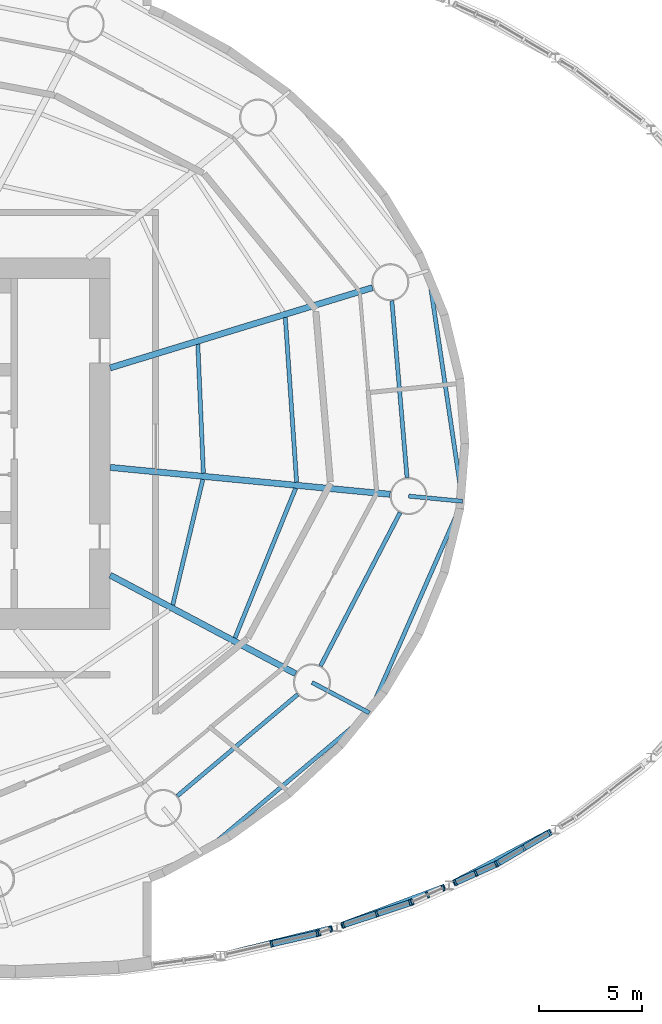
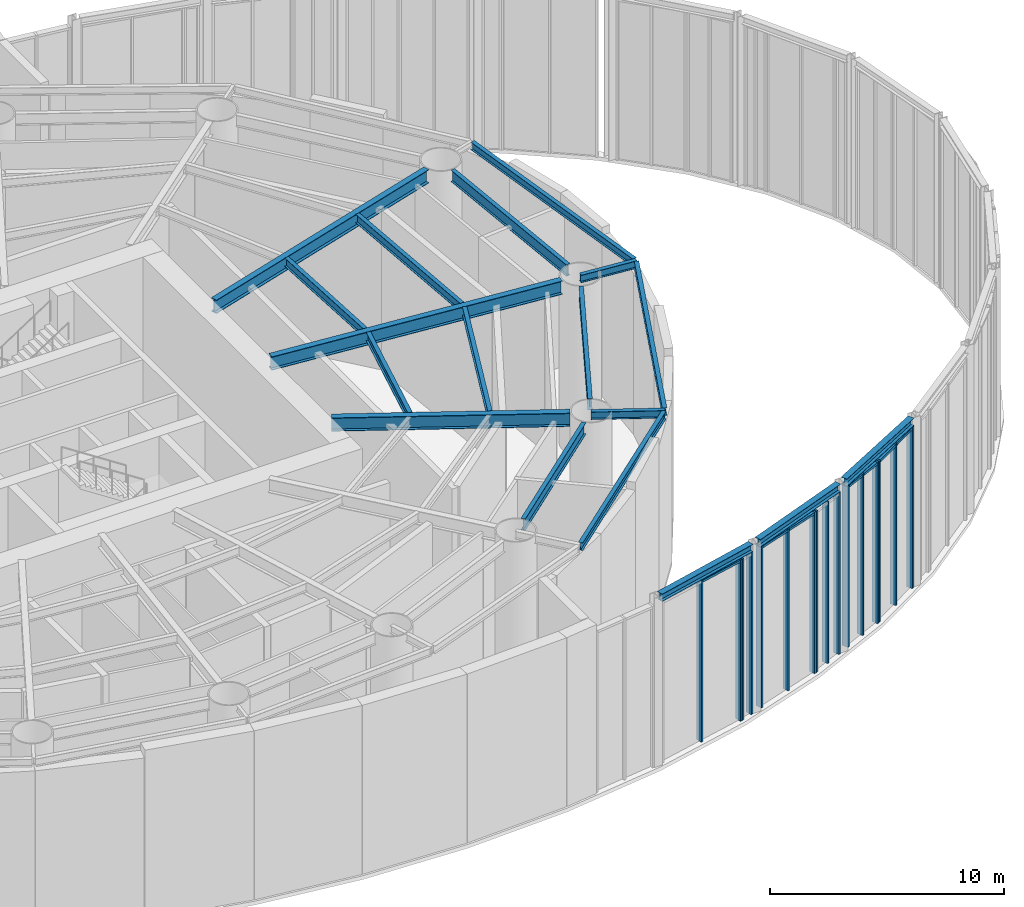
# One storey, part 5 of 19: 23 members, 18 beams, 6 elements without a shape of their own.
"""IFC4 building model written with IfcOpenShell, lengths in metres."""

from ifc_helpers import new_model, si_unit, direction, frame, origin, origin_2d, place, context, subcontext, project, spatial, rectangle, i_section, extrude, material, material_profile, profile_set, type_object, element, aggregate, save


model = new_model("IFC4")

# Units and contexts
model_context = context("Model", 3, precision=1e-05, world=origin(), true_north=direction((0.0, 1.0)))
body_context = subcontext(model_context, "Body", "Model", "MODEL_VIEW")
ifc_project = project(units=[si_unit("LENGTHUNIT", "METRE"), si_unit("AREAUNIT", "SQUARE_METRE"), si_unit("VOLUMEUNIT", "CUBIC_METRE"), si_unit("PLANEANGLEUNIT", "RADIAN"), si_unit("MASSUNIT", "GRAM", prefix="KILO")], contexts=[model_context])

# Site, building, storey
site_placement = place(None, origin())
site = spatial("IfcSite", under=ifc_project, at=site_placement, CompositionType="ELEMENT")
building_placement = place(site_placement, origin())
building = spatial("IfcBuilding", under=site, at=building_placement, Name="Vermilion Reach Broadcast Tower", CompositionType="ELEMENT")
storey_placement = place(building_placement, frame((0.0, 0.0, 8.0)))
storey = spatial("IfcBuildingStorey", under=building, at=storey_placement, Name="L01", CompositionType="ELEMENT", Elevation=8.0)

# Curtain wall, members
ifc_material_1 = material(Name="Low-e laminated clear glass in aluminium frame", Category="aluminium")
curtain_wall_type = type_object("IfcCurtainWallType", Name="Atrium outer wall curtain wall", PredefinedType="NOTDEFINED", material=ifc_material_1)
placement = place(storey_placement, origin())
curtain_wall_1 = element("IfcCurtainWall", 1, at=placement, inside=storey, type_object=curtain_wall_type, Name="Atrium wall L01 02", PredefinedType="NOTDEFINED")
ifc_material_2 = material(Name="Anodised aluminium", Category="aluminium")
ifc_material_profile_1 = material_profile(ifc_material_2, rectangle(XDim=0.300048828125, YDim=0.10009765625, at=origin_2d()), Name="Atrium outer wall mullion 100 x 300")
ifc_profile_set_1 = profile_set([ifc_material_profile_1], Name="Anodised aluminium")
member_type_1 = type_object("IfcMemberType", Name="Atrium outer wall mullion 100 x 300", PredefinedType="MULLION", material=ifc_profile_set_1)
member_1_placement = place(storey_placement, frame((13.818359375, -24.251708984375, 0.0), z_axis=(0.0, 0.0, 1.0), x_axis=(-0.222891523278, 0.974843253478, 0.0)))
member_1 = element("IfcMember", 2, at=member_1_placement, type_object=member_type_1, Name="Atrium wall mullion L01 02.2", PredefinedType="MULLION", context=body_context, shape_type="SweptSolid", body=[
    extrude(rectangle(XDim=0.300048828125, YDim=0.10009765625, at=origin_2d()), origin(), (0.0, 0.0, 1.0), 8.409912109375),
])
member_2_placement = place(storey_placement, frame((16.042236328125, -23.7431640625, 0.0), z_axis=(0.0, 0.0, 1.0), x_axis=(-0.222891523278, 0.974843253478, 0.0)))
member_2 = element("IfcMember", 3, at=member_2_placement, type_object=member_type_1, Name="Atrium wall mullion L01 02.3", PredefinedType="MULLION", context=body_context, shape_type="SweptSolid", body=[
    extrude(rectangle(XDim=0.300048828125, YDim=0.10009765625, at=origin_2d()), origin(), (0.0, 0.0, 1.0), 8.409912109375),
])

curtain_wall_2 = element("IfcCurtainWall", 4, at=placement, inside=storey, type_object=curtain_wall_type, Name="Atrium wall L01 03-1", PredefinedType="NOTDEFINED")
member_3_placement = place(storey_placement, frame((16.138427734375, -23.71630859375, 0.0), z_axis=(0.0, 0.0, 1.0), x_axis=(-0.315228098746, 0.949015935462, 0.0)))
member_3 = element("IfcMember", 5, at=member_3_placement, type_object=member_type_1, Name="Atrium wall mullion L01 03-1.1", PredefinedType="MULLION", context=body_context, shape_type="SweptSolid", body=[
    extrude(rectangle(XDim=0.300048828125, YDim=0.10009765625, at=origin_2d()), origin(), (0.0, 0.0, 1.0), 8.409912109375),
])
member_4_placement = place(storey_placement, frame((16.67724609375, -23.537353515625, 0.0), z_axis=(0.0, 0.0, 1.0), x_axis=(-0.315228098746, 0.949015935462, 0.0)))
member_4 = element("IfcMember", 6, at=member_4_placement, type_object=member_type_1, Name="Atrium wall mullion L01 03-1.2", PredefinedType="MULLION", context=body_context, shape_type="SweptSolid", body=[
    extrude(rectangle(XDim=0.300048828125, YDim=0.10009765625, at=origin_2d()), origin(), (0.0, 0.0, 1.0), 8.409912109375),
])
aggregate(curtain_wall_2, [member_3, member_4])

curtain_wall_3 = element("IfcCurtainWall", 7, at=placement, inside=storey, type_object=curtain_wall_type, Name="Atrium wall L01 03-2", PredefinedType="NOTDEFINED")
member_5_placement = place(storey_placement, frame((17.2919921875, -23.3330078125, 0.0), z_axis=(0.0, 0.0, 1.0), x_axis=(-0.315228098746, 0.949015935462, 0.0)))
member_5 = element("IfcMember", 8, at=member_5_placement, type_object=member_type_1, Name="Atrium wall mullion L01 03-2.1", PredefinedType="MULLION", context=body_context, shape_type="SweptSolid", body=[
    extrude(rectangle(XDim=0.300048828125, YDim=0.10009765625, at=origin_2d()), origin(), (0.0, 0.0, 1.0), 8.409912109375),
])
member_6_placement = place(storey_placement, frame((18.91796875, -22.79296875, 0.0), z_axis=(0.0, 0.0, 1.0), x_axis=(-0.315228098746, 0.949015935462, 0.0)))
member_6 = element("IfcMember", 9, at=member_6_placement, type_object=member_type_1, Name="Atrium wall mullion L01 03-2.2", PredefinedType="MULLION", context=body_context, shape_type="SweptSolid", body=[
    extrude(rectangle(XDim=0.300048828125, YDim=0.10009765625, at=origin_2d()), origin(), (0.0, 0.0, 1.0), 8.409912109375),
])
member_7_placement = place(storey_placement, frame((20.5439453125, -22.2529296875, 0.0), z_axis=(0.0, 0.0, 1.0), x_axis=(-0.315228098746, 0.949015935462, 0.0)))
member_7 = element("IfcMember", 10, at=member_7_placement, type_object=member_type_1, Name="Atrium wall mullion L01 03-2.3", PredefinedType="MULLION", context=body_context, shape_type="SweptSolid", body=[
    extrude(rectangle(XDim=0.300048828125, YDim=0.10009765625, at=origin_2d()), origin(), (0.0, 0.0, 1.0), 8.409912109375),
])

curtain_wall_4 = element("IfcCurtainWall", 11, at=placement, inside=storey, type_object=curtain_wall_type, Name="Atrium wall L01 04-1", PredefinedType="NOTDEFINED")
member_8_placement = place(storey_placement, frame((20.636962890625, -22.216552734375, 0.0), z_axis=(0.0, 0.0, 1.0), x_axis=(-0.410407876277, 0.911902064418, 0.0)))
member_8 = element("IfcMember", 12, at=member_8_placement, type_object=member_type_1, Name="Atrium wall mullion L01 04-1.1", PredefinedType="MULLION", context=body_context, shape_type="SweptSolid", body=[
    extrude(rectangle(XDim=0.300048828125, YDim=0.10009765625, at=origin_2d()), origin(), (0.0, 0.0, 1.0), 8.409912109375),
])
member_9_placement = place(storey_placement, frame((21.386474609375, -21.87939453125, 0.0), z_axis=(0.0, 0.0, 1.0), x_axis=(-0.410407876277, 0.911902064418, 0.0)))
member_9 = element("IfcMember", 13, at=member_9_placement, type_object=member_type_1, Name="Atrium wall mullion L01 04-1.2", PredefinedType="MULLION", context=body_context, shape_type="SweptSolid", body=[
    extrude(rectangle(XDim=0.300048828125, YDim=0.10009765625, at=origin_2d()), origin(), (0.0, 0.0, 1.0), 8.409912109375),
])
member_10_placement = place(storey_placement, frame((22.1357421875, -21.5419921875, 0.0), z_axis=(0.0, 0.0, 1.0), x_axis=(-0.410407876277, 0.911902064418, 0.0)))
member_10 = element("IfcMember", 14, at=member_10_placement, type_object=member_type_1, Name="Atrium wall mullion L01 04-1.3", PredefinedType="MULLION", context=body_context, shape_type="SweptSolid", body=[
    extrude(rectangle(XDim=0.300048828125, YDim=0.10009765625, at=origin_2d()), origin(), (0.0, 0.0, 1.0), 8.409912109375),
])
aggregate(curtain_wall_4, [member_8, member_9, member_10])

curtain_wall_5 = element("IfcCurtainWall", 15, at=placement, inside=storey, type_object=curtain_wall_type, Name="Atrium wall L01 04-2", PredefinedType="NOTDEFINED")
member_11_placement = place(storey_placement, frame((22.726806640625, -21.276123046875, 0.0), z_axis=(0.0, 0.0, 1.0), x_axis=(-0.410407876277, 0.911902064418, 0.0)))
member_11 = element("IfcMember", 16, at=member_11_placement, type_object=member_type_1, Name="Atrium wall mullion L01 04-2.1", PredefinedType="MULLION", context=body_context, shape_type="SweptSolid", body=[
    extrude(rectangle(XDim=0.300048828125, YDim=0.10009765625, at=origin_2d()), origin(), (0.0, 0.0, 1.0), 8.409912109375),
])
member_12_placement = place(storey_placement, frame((23.720947265625, -20.82861328125, 0.0), z_axis=(0.0, 0.0, 1.0), x_axis=(-0.410407876277, 0.911902064418, 0.0)))
member_12 = element("IfcMember", 17, at=member_12_placement, type_object=member_type_1, Name="Atrium wall mullion L01 04-2.2", PredefinedType="MULLION", context=body_context, shape_type="SweptSolid", body=[
    extrude(rectangle(XDim=0.300048828125, YDim=0.10009765625, at=origin_2d()), origin(), (0.0, 0.0, 1.0), 8.409912109375),
])
member_13_placement = place(storey_placement, frame((24.715087890625, -20.38134765625, 0.0), z_axis=(0.0, 0.0, 1.0), x_axis=(-0.410407876277, 0.911902064418, 0.0)))
member_13 = element("IfcMember", 18, at=member_13_placement, type_object=member_type_1, Name="Atrium wall mullion L01 04-2.3", PredefinedType="MULLION", context=body_context, shape_type="SweptSolid", body=[
    extrude(rectangle(XDim=0.300048828125, YDim=0.10009765625, at=origin_2d()), origin(), (0.0, 0.0, 1.0), 8.409912109375),
])

curtain_wall_6 = element("IfcCurtainWall", 19, at=placement, inside=storey, type_object=curtain_wall_type, Name="Atrium wall L01 05-1", PredefinedType="NOTDEFINED")
member_14_placement = place(storey_placement, frame((24.8037109375, -20.33544921875, 0.0), z_axis=(0.0, 0.0, 1.0), x_axis=(-0.508589622127, 0.861009057017, 0.0)))
member_14 = element("IfcMember", 20, at=member_14_placement, type_object=member_type_1, Name="Atrium wall mullion L01 05-1.1", PredefinedType="MULLION", context=body_context, shape_type="SweptSolid", body=[
    extrude(rectangle(XDim=0.300048828125, YDim=0.10009765625, at=origin_2d()), origin(), (0.0, 0.0, 1.0), 8.409912109375),
])
member_15_placement = place(storey_placement, frame((26.0478515625, -19.6005859375, 0.0), z_axis=(0.0, 0.0, 1.0), x_axis=(-0.508589622127, 0.861009057017, 0.0)))
member_15 = element("IfcMember", 21, at=member_15_placement, type_object=member_type_1, Name="Atrium wall mullion L01 05-1.2", PredefinedType="MULLION", context=body_context, shape_type="SweptSolid", body=[
    extrude(rectangle(XDim=0.300048828125, YDim=0.10009765625, at=origin_2d()), origin(), (0.0, 0.0, 1.0), 8.409912109375),
])
member_16_placement = place(storey_placement, frame((27.291748046875, -18.86572265625, 0.0), z_axis=(0.0, 0.0, 1.0), x_axis=(-0.508589622127, 0.861009057017, 0.0)))
member_16 = element("IfcMember", 22, at=member_16_placement, type_object=member_type_1, Name="Atrium wall mullion L01 05-1.3", PredefinedType="MULLION", context=body_context, shape_type="SweptSolid", body=[
    extrude(rectangle(XDim=0.300048828125, YDim=0.10009765625, at=origin_2d()), origin(), (0.0, 0.0, 1.0), 8.409912109375),
])

# Member
ifc_material_3 = material(Name="Anodised aluminium", Category="aluminium")
ifc_material_profile_2 = material_profile(ifc_material_3, rectangle(XDim=0.300048828125, YDim=0.1201171875, at=origin_2d()), Name="Atrium outer wall transom 300 x 120")
ifc_profile_set_2 = profile_set([ifc_material_profile_2], Name="Anodised aluminium")
member_type_2 = type_object("IfcMemberType", Name="Atrium outer wall transom 300 x 120", PredefinedType="USERDEFINED", material=ifc_profile_set_2)
member_17_placement = place(storey_placement, frame((13.8671875, -24.240478515625, 8.35009765625), z_axis=(0.97485503326, 0.222839996696, 0.0), x_axis=(-0.222839996696, 0.97485503326, 0.0)))
member_17 = element("IfcMember", 23, at=member_17_placement, type_object=member_type_2, Name="Atrium wall transom L01 02.2.2", ObjectType="TRANSOM", PredefinedType="USERDEFINED", context=body_context, shape_type="SweptSolid", body=[
    extrude(rectangle(XDim=0.300048828125, YDim=0.1201171875, at=origin_2d()), origin(), (0.0, 0.0, 1.0), 2.181396484375),
])

aggregate(curtain_wall_1, [member_1, member_2, member_17])

member_18_placement = place(storey_placement, frame((17.339599609375, -23.3173828125, 8.35009765625), z_axis=(0.949015707131, 0.315228786151, 0.0), x_axis=(-0.315228786151, 0.949015707131, 0.0)))
member_18 = element("IfcMember", 24, at=member_18_placement, type_object=member_type_2, Name="Atrium wall transom L01 03-2.1.2", ObjectType="TRANSOM", PredefinedType="USERDEFINED", context=body_context, shape_type="SweptSolid", body=[
    extrude(rectangle(XDim=0.300048828125, YDim=0.1201171875, at=origin_2d()), origin(), (0.0, 0.0, 1.0), 1.61328125),
])

member_19_placement = place(storey_placement, frame((18.965576171875, -22.777099609375, 8.35009765625), z_axis=(0.949015707131, 0.315228786151, 0.0), x_axis=(-0.315228786151, 0.949015707131, 0.0)))
member_19 = element("IfcMember", 25, at=member_19_placement, type_object=member_type_2, Name="Atrium wall transom L01 03-2.2.2", ObjectType="TRANSOM", PredefinedType="USERDEFINED", context=body_context, shape_type="SweptSolid", body=[
    extrude(rectangle(XDim=0.300048828125, YDim=0.1201171875, at=origin_2d()), origin(), (0.0, 0.0, 1.0), 1.61328125),
])

aggregate(curtain_wall_3, [member_5, member_6, member_7, member_18, member_19])

member_20_placement = place(storey_placement, frame((22.772216796875, -21.255615234375, 8.35009765625), z_axis=(0.911879986632, 0.410456928289, 0.0), x_axis=(-0.410456928289, 0.911879986632, 0.0)))
member_20 = element("IfcMember", 26, at=member_20_placement, type_object=member_type_2, Name="Atrium wall transom L01 04-2.1.2", ObjectType="TRANSOM", PredefinedType="USERDEFINED", context=body_context, shape_type="SweptSolid", body=[
    extrude(rectangle(XDim=0.300048828125, YDim=0.1201171875, at=origin_2d()), origin(), (0.0, 0.0, 1.0), 0.990234375),
])

member_21_placement = place(storey_placement, frame((23.766357421875, -20.80810546875, 8.35009765625), z_axis=(0.911972242519, 0.410251909044, 0.0), x_axis=(-0.410251909044, 0.911972242519, 0.0)))
member_21 = element("IfcMember", 27, at=member_21_placement, type_object=member_type_2, Name="Atrium wall transom L01 04-2.2.2", ObjectType="TRANSOM", PredefinedType="USERDEFINED", context=body_context, shape_type="SweptSolid", body=[
    extrude(rectangle(XDim=0.300048828125, YDim=0.1201171875, at=origin_2d()), origin(), (0.0, 0.0, 1.0), 0.990234375),
])

aggregate(curtain_wall_5, [member_11, member_12, member_13, member_20, member_21])

member_22_placement = place(storey_placement, frame((24.8466796875, -20.309814453125, 8.35009765625), z_axis=(0.861060223376, 0.508502990866, 0.0), x_axis=(-0.508502990866, 0.861060223376, 0.0)))
member_22 = element("IfcMember", 28, at=member_22_placement, type_object=member_type_2, Name="Atrium wall transom L01 05-1.1.2", ObjectType="TRANSOM", PredefinedType="USERDEFINED", context=body_context, shape_type="SweptSolid", body=[
    extrude(rectangle(XDim=0.300048828125, YDim=0.1201171875, at=origin_2d()), origin(), (0.0, 0.0, 1.0), 1.3447265625),
])

member_23_placement = place(storey_placement, frame((26.0908203125, -19.574951171875, 8.35009765625), z_axis=(0.861060223376, 0.508502990866, 0.0), x_axis=(-0.508502990866, 0.861060223376, 0.0)))
member_23 = element("IfcMember", 29, at=member_23_placement, type_object=member_type_2, Name="Atrium wall transom L01 05-1.2.2", ObjectType="TRANSOM", PredefinedType="USERDEFINED", context=body_context, shape_type="SweptSolid", body=[
    extrude(rectangle(XDim=0.300048828125, YDim=0.1201171875, at=origin_2d()), origin(), (0.0, 0.0, 1.0), 1.3447265625),
])

aggregate(curtain_wall_6, [member_14, member_15, member_16, member_22, member_23])

# Beams
ifc_material_4 = material(Name="Steel S355J2", Category="steel")
ifc_material_profile_3 = material_profile(ifc_material_4, i_section(OverallWidth=0.199951171875, OverallDepth=0.39990234375, WebThickness=0.008056640625, FlangeThickness=0.012939453125, at=origin_2d()), Name="S355J2 HN 400x200x8x13")
ifc_profile_set_3 = profile_set([ifc_material_profile_3], Name="Steel S355J2")
beam_type_1 = type_object("IfcBeamType", Name="EB1 HN 400x200x8x13", PredefinedType="BEAM", material=ifc_profile_set_3)
beam_1_placement = place(storey_placement, frame((10.490478515625, -19.840087890625, 8.60009765625), z_axis=(0.765453208317, 0.643491558513, 0.0), x_axis=(-0.643491558513, 0.765453208317, 0.0)))
element("IfcBeam", 30, at=beam_1_placement, inside=storey, type_object=beam_type_1, Name="Edge beam EB1-14", PredefinedType="BEAM", context=body_context, shape_type="SweptSolid", body=[
    extrude(i_section(OverallWidth=0.199951171875, OverallDepth=0.39990234375, WebThickness=0.008056640625, FlangeThickness=0.012939453125, at=origin_2d()), origin(), (0.0, 0.0, 1.0), 10.437255859375),
])
beam_2_placement = place(storey_placement, frame((18.6025390625, -12.962646484375, 8.60009765625), z_axis=(0.402751254677, 0.915309470538, 0.0), x_axis=(-0.915309470538, 0.402751254677, 0.0)))
element("IfcBeam", 31, at=beam_2_placement, inside=storey, type_object=beam_type_1, Name="Edge beam EB1-15", PredefinedType="BEAM", context=body_context, shape_type="SweptSolid", body=[
    extrude(i_section(OverallWidth=0.199951171875, OverallDepth=0.39990234375, WebThickness=0.008056640625, FlangeThickness=0.012939453125, at=origin_2d()), origin(), (0.0, 0.0, 1.0), 11.00341796875),
])
beam_3_placement = place(storey_placement, frame((23.061279296875, -2.692626953125, 8.60009765625), z_axis=(-0.147029010253, 0.98913218032, 0.0), x_axis=(-0.98913218032, -0.147029010253, 0.0)))
element("IfcBeam", 32, at=beam_3_placement, inside=storey, type_object=beam_type_1, Name="Edge beam EB1-16", PredefinedType="BEAM", context=body_context, shape_type="SweptSolid", body=[
    extrude(i_section(OverallWidth=0.199951171875, OverallDepth=0.39990234375, WebThickness=0.008056640625, FlangeThickness=0.012939453125, at=origin_2d()), origin(), (0.0, 0.0, 1.0), 11.125244140625),
])
ifc_material_5 = material(Name="Steel S355J2", Category="steel")
ifc_material_profile_4 = material_profile(ifc_material_5, i_section(OverallWidth=0.300048828125, OverallDepth=0.699951171875, WebThickness=0.012939453125, FlangeThickness=0.02392578125, at=origin_2d()), Name="S355J2 HN 700x300x13x24")
ifc_profile_set_4 = profile_set([ifc_material_profile_4], Name="Steel S355J2")
beam_type_2 = type_object("IfcBeamType", Name="G1 HN 700x300x13x24", PredefinedType="BEAM", material=ifc_profile_set_4)
beam_4_placement = place(storey_placement, frame((6.0, 3.671142578125, 8.449951171875), z_axis=(0.956255735186, 0.292531996409, 0.0), x_axis=(-0.292531996409, 0.956255735186, 0.0)))
element("IfcBeam", 33, at=beam_4_placement, inside=storey, type_object=beam_type_2, Name="Girder G1-01", PredefinedType="BEAM", context=body_context, shape_type="SweptSolid", body=[
    extrude(i_section(OverallWidth=0.300048828125, OverallDepth=0.699951171875, WebThickness=0.012939453125, FlangeThickness=0.02392578125, at=origin_2d()), origin(), (0.0, 0.0, 1.0), 13.29638671875),
])
beam_5_placement = place(storey_placement, frame((6.0, -6.3779296875, 8.449951171875), z_axis=(0.883032139419, -0.469312519279, 0.0), x_axis=(0.469312519279, 0.883032139419, 0.0)))
element("IfcBeam", 34, at=beam_5_placement, inside=storey, type_object=beam_type_2, Name="Girder G1-15", PredefinedType="BEAM", context=body_context, shape_type="SweptSolid", body=[
    extrude(i_section(OverallWidth=0.300048828125, OverallDepth=0.699951171875, WebThickness=0.012939453125, FlangeThickness=0.02392578125, at=origin_2d()), origin(), (0.0, 0.0, 1.0), 10.17529296875),
])
beam_6_placement = place(storey_placement, frame((6.0, -1.1533203125, 8.449951171875), z_axis=(0.995412178872, -0.095679643363, 0.0), x_axis=(0.095679643363, 0.995412178872, 0.0)))
element("IfcBeam", 35, at=beam_6_placement, inside=storey, type_object=beam_type_2, Name="Girder G1-16", PredefinedType="BEAM", context=body_context, shape_type="SweptSolid", body=[
    extrude(i_section(OverallWidth=0.300048828125, OverallDepth=0.699951171875, WebThickness=0.012939453125, FlangeThickness=0.02392578125, at=origin_2d()), origin(), (0.0, 0.0, 1.0), 13.630859375),
])
ifc_material_6 = material(Name="Steel S355J2", Category="steel")
ifc_material_profile_5 = material_profile(ifc_material_6, i_section(OverallWidth=0.199951171875, OverallDepth=0.39990234375, WebThickness=0.008056640625, FlangeThickness=0.012939453125, at=origin_2d()), Name="S355J2 HN 400x200x8x13")
ifc_profile_set_5 = profile_set([ifc_material_profile_5], Name="Steel S355J2")
beam_type_3 = type_object("IfcBeamType", Name="GC1 HN 400x200x8x13", PredefinedType="BEAM", material=ifc_profile_set_5)
beam_7_placement = place(storey_placement, frame((15.77978515625, -11.57568359375, 8.60009765625), z_axis=(0.8830404704, -0.469296843837, 0.0), x_axis=(0.469296843837, 0.8830404704, 0.0)))
element("IfcBeam", 36, at=beam_7_placement, inside=storey, type_object=beam_type_3, Name="Cantilever girder GC1-15", PredefinedType="BEAM", context=body_context, shape_type="SweptSolid", body=[
    extrude(i_section(OverallWidth=0.199951171875, OverallDepth=0.39990234375, WebThickness=0.008056640625, FlangeThickness=0.012939453125, at=origin_2d()), origin(), (0.0, 0.0, 1.0), 3.151123046875),
])
beam_8_placement = place(storey_placement, frame((20.464111328125, -2.54345703125, 8.60009765625), z_axis=(0.995407665441, -0.095726587639, 0.0), x_axis=(0.095726587639, 0.995407665441, 0.0)))
element("IfcBeam", 37, at=beam_8_placement, inside=storey, type_object=beam_type_3, Name="Cantilever girder GC1-16", PredefinedType="BEAM", context=body_context, shape_type="SweptSolid", body=[
    extrude(i_section(OverallWidth=0.199951171875, OverallDepth=0.39990234375, WebThickness=0.008056640625, FlangeThickness=0.012939453125, at=origin_2d()), origin(), (0.0, 0.0, 1.0), 2.624267578125),
])
ifc_material_7 = material(Name="Steel S355J2", Category="steel")
ifc_material_profile_6 = material_profile(ifc_material_7, i_section(OverallWidth=0.199951171875, OverallDepth=0.60009765625, WebThickness=0.010986328125, FlangeThickness=0.01708984375, at=origin_2d()), Name="S355J2 HN 600x200x11x17")
ifc_profile_set_6 = profile_set([ifc_material_profile_6], Name="Steel S355J2")
beam_type_4 = type_object("IfcBeamType", Name="RB1 HN 600x200x11x17", PredefinedType="BEAM", material=ifc_profile_set_6)
beam_9_placement = place(storey_placement, frame((9.251220703125, -17.080322265625, 8.5), z_axis=(0.764512441084, 0.6446089725, 0.0), x_axis=(-0.6446089725, 0.764512441084, 0.0)))
element("IfcBeam", 38, at=beam_9_placement, inside=storey, type_object=beam_type_4, Name="Ring beam RB1-14", PredefinedType="BEAM", context=body_context, shape_type="SweptSolid", body=[
    extrude(i_section(OverallWidth=0.199951171875, OverallDepth=0.60009765625, WebThickness=0.010986328125, FlangeThickness=0.01708984375, at=origin_2d()), origin(), (0.0, 0.0, 1.0), 7.6396484375),
])
beam_10_placement = place(storey_placement, frame((16.194091796875, -10.776611328125, 8.5), z_axis=(0.460411617218, 0.887705549566, 0.0), x_axis=(-0.887705549566, 0.460411617218, 0.0)))
element("IfcBeam", 39, at=beam_10_placement, inside=storey, type_object=beam_type_4, Name="Ring beam RB1-15", PredefinedType="BEAM", context=body_context, shape_type="SweptSolid", body=[
    extrude(i_section(OverallWidth=0.199951171875, OverallDepth=0.60009765625, WebThickness=0.010986328125, FlangeThickness=0.01708984375, at=origin_2d()), origin(), (0.0, 0.0, 1.0), 8.37451171875),
])
beam_11_placement = place(storey_placement, frame((20.38720703125, -1.646728515625, 8.5), z_axis=(-0.085395508608, 0.996347131832, 0.0), x_axis=(-0.996347131832, -0.085395508608, 0.0)))
element("IfcBeam", 40, at=beam_11_placement, inside=storey, type_object=beam_type_4, Name="Ring beam RB1-16", PredefinedType="BEAM", context=body_context, shape_type="SweptSolid", body=[
    extrude(i_section(OverallWidth=0.199951171875, OverallDepth=0.60009765625, WebThickness=0.010986328125, FlangeThickness=0.01708984375, at=origin_2d()), origin(), (0.0, 0.0, 1.0), 8.60546875),
])
ifc_material_8 = material(Name="Steel S355J2", Category="steel")
ifc_material_profile_7 = material_profile(ifc_material_8, i_section(OverallWidth=0.300048828125, OverallDepth=0.389892578125, WebThickness=0.010009765625, FlangeThickness=0.01611328125, at=origin_2d()), Name="S355J2 HM 390x300x10x16")
ifc_profile_set_7 = profile_set([ifc_material_profile_7], Name="Steel S355J2")
beam_type_5 = type_object("IfcBeamType", Name="RM1 HM 390x300x10x16", PredefinedType="BEAM", material=ifc_profile_set_7)
beam_12_placement = place(storey_placement, frame((11.55078125, -24.7666015625, 8.60498046875), z_axis=(0.97127010403, 0.237979799598, 0.0), x_axis=(-0.237979799598, 0.97127010403, 0.0)))
element("IfcBeam", 41, at=beam_12_placement, inside=storey, type_object=beam_type_5, Name="Rim beam AP01-AP02", PredefinedType="BEAM", context=body_context, shape_type="SweptSolid", body=[
    extrude(i_section(OverallWidth=0.300048828125, OverallDepth=0.389892578125, WebThickness=0.010009765625, FlangeThickness=0.01611328125, at=origin_2d()), origin(), (0.0, 0.0, 1.0), 5.37451171875),
])
beam_13_placement = place(storey_placement, frame((17.190673828125, -23.3583984375, 8.60498046875), z_axis=(0.937250522131, 0.348656648818, 0.0), x_axis=(-0.348656648818, 0.937250522131, 0.0)))
element("IfcBeam", 42, at=beam_13_placement, inside=storey, type_object=beam_type_5, Name="Rim beam AP02-AP03", PredefinedType="BEAM", context=body_context, shape_type="SweptSolid", body=[
    extrude(i_section(OverallWidth=0.300048828125, OverallDepth=0.389892578125, WebThickness=0.010009765625, FlangeThickness=0.01611328125, at=origin_2d()), origin(), (0.0, 0.0, 1.0), 5.37158203125),
])
beam_14_placement = place(storey_placement, frame((22.625732421875, -21.306396484375, 8.60498046875), z_axis=(0.884684356477, 0.46619050763, 0.0), x_axis=(-0.46619050763, 0.884684356477, 0.0)))
element("IfcBeam", 43, at=beam_14_placement, inside=storey, type_object=beam_type_5, Name="Rim beam AP03-AP04", PredefinedType="BEAM", context=body_context, shape_type="SweptSolid", body=[
    extrude(i_section(OverallWidth=0.300048828125, OverallDepth=0.389892578125, WebThickness=0.010009765625, FlangeThickness=0.01611328125, at=origin_2d()), origin(), (0.0, 0.0, 1.0), 5.369384765625),
])
ifc_material_9 = material(Name="Steel S355J2", Category="steel")
ifc_material_profile_8 = material_profile(ifc_material_9, i_section(OverallWidth=0.199951171875, OverallDepth=0.449951171875, WebThickness=0.009033203125, FlangeThickness=0.013916015625, at=origin_2d()), Name="S355J2 HN 450x200x9x14")
ifc_profile_set_8 = profile_set([ifc_material_profile_8], Name="Steel S355J2")
beam_type_6 = type_object("IfcBeamType", Name="SB1 HN 450x200x9x14", PredefinedType="BEAM", material=ifc_profile_set_8)
beam_15_placement = place(storey_placement, frame((9.031005859375, -7.81884765625, 8.574951171875), z_axis=(0.232844467589, 0.972513986487, 0.0), x_axis=(-0.972513986487, 0.232844467589, 0.0)))
element("IfcBeam", 44, at=beam_15_placement, inside=storey, type_object=beam_type_6, Name="Secondary beam SB1-15-1", PredefinedType="BEAM", context=body_context, shape_type="SweptSolid", body=[
    extrude(i_section(OverallWidth=0.199951171875, OverallDepth=0.449951171875, WebThickness=0.009033203125, FlangeThickness=0.013916015625, at=origin_2d()), origin(), (0.0, 0.0, 1.0), 6.25537109375),
])
beam_16_placement = place(storey_placement, frame((12.046630859375, -9.421630859375, 8.574951171875), z_axis=(0.375640669938, 0.926765389453, 0.0), x_axis=(-0.926765389453, 0.375640669938, 0.0)))
element("IfcBeam", 45, at=beam_16_placement, inside=storey, type_object=beam_type_6, Name="Secondary beam SB1-15-2", PredefinedType="BEAM", context=body_context, shape_type="SweptSolid", body=[
    extrude(i_section(OverallWidth=0.199951171875, OverallDepth=0.449951171875, WebThickness=0.009033203125, FlangeThickness=0.013916015625, at=origin_2d()), origin(), (0.0, 0.0, 1.0), 7.8271484375),
])
beam_17_placement = place(storey_placement, frame((10.51611328125, -1.436767578125, 8.574951171875), z_axis=(-0.043361007512, 0.999059469215, 0.0), x_axis=(-0.999059469215, -0.043361007512, 0.0)))
element("IfcBeam", 46, at=beam_17_placement, inside=storey, type_object=beam_type_6, Name="Secondary beam SB1-16-1", PredefinedType="BEAM", context=body_context, shape_type="SweptSolid", body=[
    extrude(i_section(OverallWidth=0.199951171875, OverallDepth=0.449951171875, WebThickness=0.009033203125, FlangeThickness=0.013916015625, at=origin_2d()), origin(), (0.0, 0.0, 1.0), 6.25537109375),
])
beam_18_placement = place(storey_placement, frame((15.03515625, -1.87109375, 8.574951171875), z_axis=(-0.068507801475, 0.997650580683, 0.0), x_axis=(-0.997650580683, -0.068507801475, 0.0)))
element("IfcBeam", 47, at=beam_18_placement, inside=storey, type_object=beam_type_6, Name="Secondary beam SB1-16-2", PredefinedType="BEAM", context=body_context, shape_type="SweptSolid", body=[
    extrude(i_section(OverallWidth=0.199951171875, OverallDepth=0.449951171875, WebThickness=0.009033203125, FlangeThickness=0.013916015625, at=origin_2d()), origin(), (0.0, 0.0, 1.0), 8.00048828125),
])

save(model, "model.ifc")
